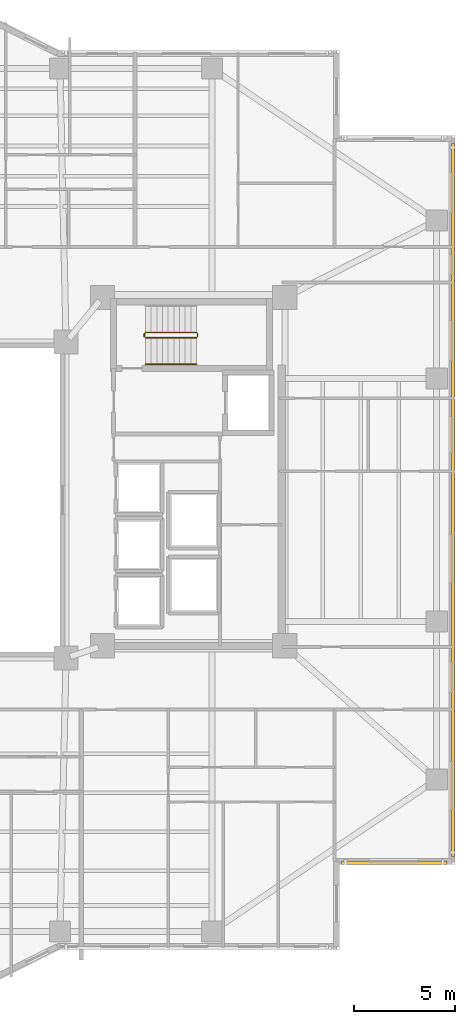
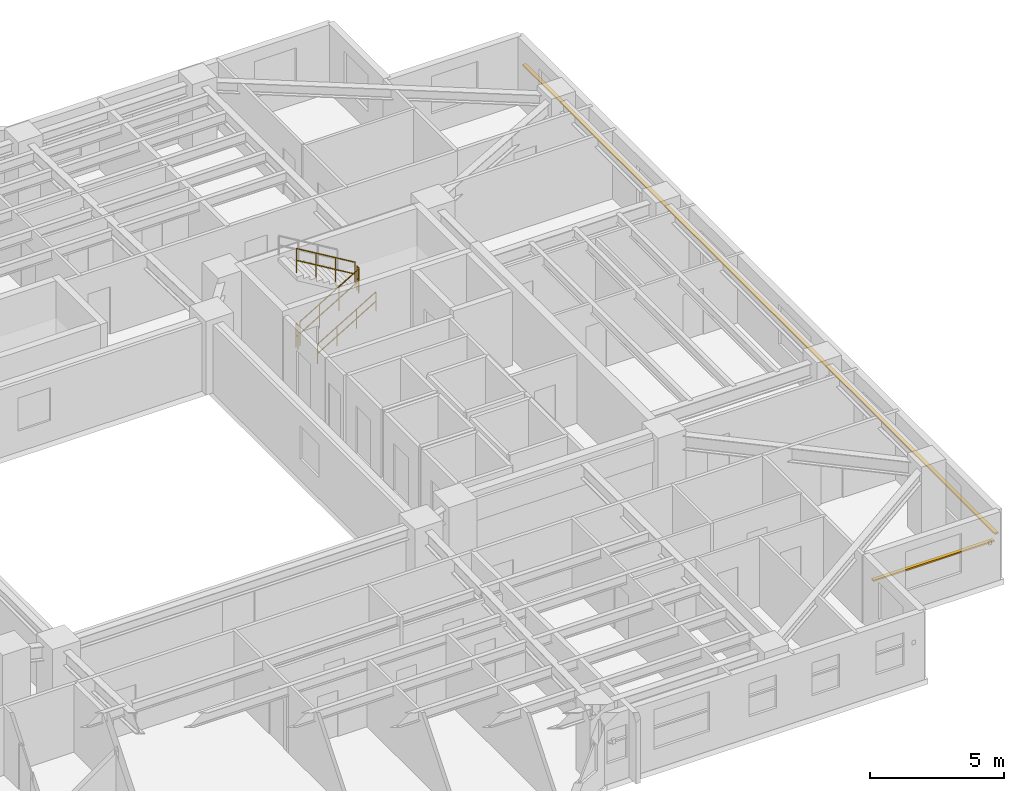
# One storey, part 17 of 19: 5 railings, 2 shading devices.
"""IFC4 building model written with IfcOpenShell, lengths in metres."""

from ifc_helpers import new_model, si_unit, direction, frame, origin, origin_2d, place, context, subcontext, project, spatial, rectangle, circle, extrude, material, material_profile, profile_set, type_object, element, save


model = new_model("IFC4")

# Units and contexts
model_context = context("Model", 3, precision=1e-05, world=origin(), true_north=direction((0.0, 1.0)))
body_context = subcontext(model_context, "Body", "Model", "MODEL_VIEW")
ifc_project = project(units=[si_unit("LENGTHUNIT", "METRE"), si_unit("AREAUNIT", "SQUARE_METRE"), si_unit("VOLUMEUNIT", "CUBIC_METRE"), si_unit("PLANEANGLEUNIT", "RADIAN"), si_unit("MASSUNIT", "GRAM", prefix="KILO")], contexts=[model_context])

# Site, building, storey
site_placement = place(None, origin())
site = spatial("IfcSite", under=ifc_project, at=site_placement, CompositionType="ELEMENT")
building_placement = place(site_placement, origin())
building = spatial("IfcBuilding", under=site, at=building_placement, Name="Tarnavaz Court Tower", CompositionType="ELEMENT")
storey_placement = place(building_placement, frame((0.0, 0.0, 111.800048828125)))
storey = spatial("IfcBuildingStorey", under=building, at=storey_placement, Name="L30", CompositionType="ELEMENT", Elevation=111.800048828125)

# Railings
ifc_material_1 = material(Name="Brushed Stainless Steel", Category="steel")
railing_type_1 = type_object("IfcRailingType", Name="RL-HANDRAIL-900", PredefinedType="HANDRAIL", material=ifc_material_1)
railing_1_placement = place(storey_placement, frame((11.719970703125, 6.699951171875, 0.16748046875)))
element("IfcRailing", 1, at=railing_1_placement, inside=storey, type_object=railing_type_1, Name="L30 ST-E1 stair handrail 1", PredefinedType="HANDRAIL", context=body_context, shape_type="SweptSolid", body=[
    extrude(circle(Radius=0.02392578125, at=origin_2d()), frame((0.0, 0.0, 0.8759765625), z_axis=(0.858159760407, 0.0, 0.513382728203), x_axis=(0.0, 1.0, 0.0)), (0.0, 0.0, 1.0), 2.9365234375),
    extrude(circle(Radius=0.02392578125, at=origin_2d()), frame((0.0, 0.0, 0.449951171875), z_axis=(0.858159760407, 0.0, 0.513382728203), x_axis=(0.0, 1.0, 0.0)), (0.0, 0.0, 1.0), 2.9365234375),
    extrude(circle(Radius=0.02099609375, at=origin_2d()), origin(), (0.0, 0.0, 1.0), 0.851806640625),
    extrude(circle(Radius=0.02099609375, at=origin_2d()), frame((0.840087890625, 0.0, 0.50244140625)), (0.0, 0.0, 1.0), 0.851806640625),
    extrude(circle(Radius=0.02099609375, at=origin_2d()), frame((1.679931640625, 0.0, 1.005126953125)), (0.0, 0.0, 1.0), 0.851806640625),
    extrude(circle(Radius=0.02099609375, at=origin_2d()), frame((2.52001953125, 0.0, 1.507568359375)), (0.0, 0.0, 1.0), 0.851806640625),
])
ifc_material_2 = material(Name="Galvanized Painted Tubular Steel", Category="steel")
railing_type_2 = type_object("IfcRailingType", Name="RL-STGUARD-1120", PredefinedType="GUARDRAIL", material=ifc_material_2)
railing_2_placement = place(storey_placement, frame((11.719970703125, 8.02001953125, 0.16748046875)))
element("IfcRailing", 2, at=railing_2_placement, inside=storey, type_object=railing_type_2, Name="L30 ST-E1 stair guard 1", PredefinedType="GUARDRAIL", context=body_context, shape_type="SweptSolid", body=[
    extrude(circle(Radius=0.02392578125, at=origin_2d()), frame((0.0, 0.0, 1.09619140625), z_axis=(0.858159760407, 0.0, 0.513382728203), x_axis=(0.0, 1.0, 0.0)), (0.0, 0.0, 1.0), 2.9365234375),
    extrude(circle(Radius=0.02392578125, at=origin_2d()), frame((0.0, 0.0, 0.56005859375), z_axis=(0.858159760407, 0.0, 0.513382728203), x_axis=(0.0, 1.0, 0.0)), (0.0, 0.0, 1.0), 2.9365234375),
    extrude(circle(Radius=0.02099609375, at=origin_2d()), origin(), (0.0, 0.0, 1.0), 1.072021484375),
    extrude(circle(Radius=0.02099609375, at=origin_2d()), frame((0.840087890625, 0.0, 0.50244140625)), (0.0, 0.0, 1.0), 1.072021484375),
    extrude(circle(Radius=0.02099609375, at=origin_2d()), frame((1.679931640625, 0.0, 1.005126953125)), (0.0, 0.0, 1.0), 1.072021484375),
    extrude(circle(Radius=0.02099609375, at=origin_2d()), frame((2.52001953125, 0.0, 1.507568359375)), (0.0, 0.0, 1.0), 1.072021484375),
])
railing_3_placement = place(storey_placement, frame((14.2900390625, 8.070068359375, 1.675048828125)))
element("IfcRailing", 3, at=railing_3_placement, inside=storey, type_object=railing_type_2, Name="L30 ST-E1 stair guard 2", PredefinedType="GUARDRAIL", context=body_context, shape_type="SweptSolid", body=[
    extrude(circle(Radius=0.02392578125, at=origin_2d()), frame((0.0, 0.0, 1.09619140625), z_axis=(0.0, 1.0, 0.0), x_axis=(-1.0, 0.0, 0.0)), (0.0, 0.0, 1.0), 0.14990234375),
    extrude(circle(Radius=0.02392578125, at=origin_2d()), frame((0.0, 0.0, 0.56005859375), z_axis=(0.0, 1.0, 0.0), x_axis=(-1.0, 0.0, 0.0)), (0.0, 0.0, 1.0), 0.14990234375),
    extrude(circle(Radius=0.02099609375, at=origin_2d()), origin(), (0.0, 0.0, 1.0), 1.072021484375),
    extrude(circle(Radius=0.02099609375, at=origin_2d()), frame((0.0, 0.14990234375, 0.0)), (0.0, 0.0, 1.0), 1.072021484375),
])
railing_4_placement = place(storey_placement, frame((14.239990234375, 8.27001953125, 1.842529296875)))
element("IfcRailing", 4, at=railing_4_placement, inside=storey, type_object=railing_type_2, Name="L30 ST-E1 stair guard 3", PredefinedType="GUARDRAIL", context=body_context, shape_type="SweptSolid", body=[
    extrude(circle(Radius=0.02392578125, at=origin_2d()), frame((0.0, 0.0, 1.09619140625), z_axis=(-0.858196387827, 0.0, 0.513321497621), x_axis=(0.0, -1.0, 0.0)), (0.0, 0.0, 1.0), 2.9365234375),
    extrude(circle(Radius=0.02392578125, at=origin_2d()), frame((0.0, 0.0, 0.56005859375), z_axis=(-0.858196387827, 0.0, 0.513321497621), x_axis=(0.0, -1.0, 0.0)), (0.0, 0.0, 1.0), 2.9365234375),
    extrude(circle(Radius=0.02099609375, at=origin_2d()), origin(), (0.0, 0.0, 1.0), 1.072021484375),
    extrude(circle(Radius=0.02099609375, at=origin_2d()), frame((-0.840087890625, 0.0, 0.50244140625)), (0.0, 0.0, 1.0), 1.072021484375),
    extrude(circle(Radius=0.02099609375, at=origin_2d()), frame((-1.679931640625, 0.0, 1.0048828125)), (0.0, 0.0, 1.0), 1.072021484375),
    extrude(circle(Radius=0.02099609375, at=origin_2d()), frame((-2.52001953125, 0.0, 1.50732421875)), (0.0, 0.0, 1.0), 1.072021484375),
])
railing_5_placement = place(storey_placement, frame((11.669921875, 8.070068359375, 0.0)))
element("IfcRailing", 5, at=railing_5_placement, inside=storey, type_object=railing_type_2, Name="L30 ST-E1 stair guard 4", PredefinedType="GUARDRAIL", context=body_context, shape_type="SweptSolid", body=[
    extrude(circle(Radius=0.02392578125, at=origin_2d()), frame((0.0, 0.0, 1.09619140625), z_axis=(0.0, 1.0, 0.0), x_axis=(-1.0, 0.0, 0.0)), (0.0, 0.0, 1.0), 0.14990234375),
    extrude(circle(Radius=0.02392578125, at=origin_2d()), frame((0.0, 0.0, 0.56005859375), z_axis=(0.0, 1.0, 0.0), x_axis=(-1.0, 0.0, 0.0)), (0.0, 0.0, 1.0), 0.14990234375),
    extrude(circle(Radius=0.02099609375, at=origin_2d()), origin(), (0.0, 0.0, 1.0), 1.072021484375),
    extrude(circle(Radius=0.02099609375, at=origin_2d()), frame((0.0, 0.14990234375, 0.0)), (0.0, 0.0, 1.0), 1.072021484375),
])

# Shading devices
ifc_material_3 = material(Name="Kiln-Fired Khorasan Terracotta Ceramic", Category="masonry")
ifc_material_profile = material_profile(ifc_material_3, rectangle(XDim=0.14990234375, YDim=0.06494140625, at=origin_2d()), Name="TC BAGUETTE 150X65")
ifc_profile_set = profile_set([ifc_material_profile], Name="Kiln-Fired Khorasan Terracotta Ceramic")
shading_device_type = type_object("IfcShadingDeviceType", Name="SD-BAG-150", PredefinedType="USERDEFINED", material=ifc_profile_set)
shading_device_1_placement = place(storey_placement, frame((26.909912109375, 17.60009765625, 1.849853515625), z_axis=(0.0, -1.0, 0.0), x_axis=(1.0, 0.0, 0.0)))
element("IfcShadingDevice", 6, at=shading_device_1_placement, inside=storey, type_object=shading_device_type, Name="L30 Terracotta Baguette Screen FBG12", ObjectType="BAGUETTE", PredefinedType="USERDEFINED", context=body_context, shape_type="SweptSolid", body=[
    extrude(rectangle(XDim=0.14990234375, YDim=0.06494140625, at=origin_2d()), origin(), (0.0, 0.0, 1.0), 35.2001953125),
])
shading_device_2_placement = place(storey_placement, frame((26.60009765625, -17.909912109375, 1.849853515625), z_axis=(-1.0, 0.0, 0.0), x_axis=(0.0, -1.0, 0.0)))
element("IfcShadingDevice", 7, at=shading_device_2_placement, inside=storey, type_object=shading_device_type, Name="L30 Terracotta Baguette Screen FBG13", ObjectType="BAGUETTE", PredefinedType="USERDEFINED", context=body_context, shape_type="SweptSolid", body=[
    extrude(rectangle(XDim=0.14990234375, YDim=0.06494140625, at=origin_2d()), origin(), (0.0, 0.0, 1.0), 5.2001953125),
])

save(model, "model.ifc")
